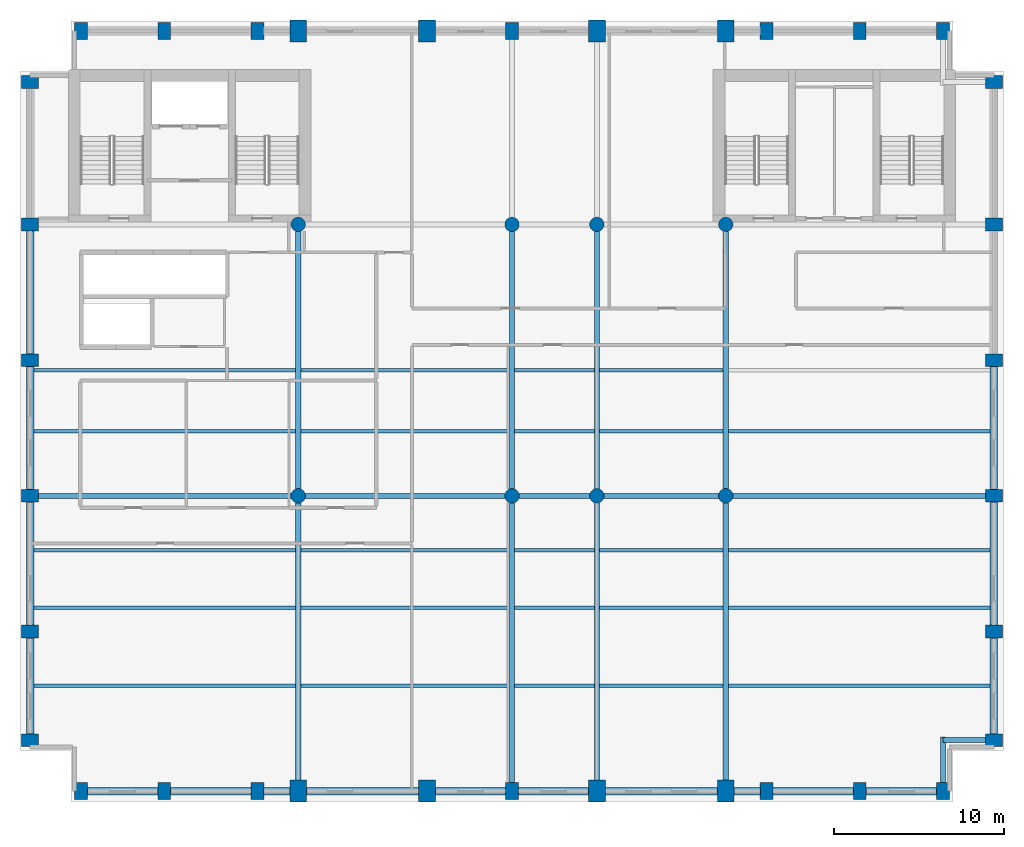
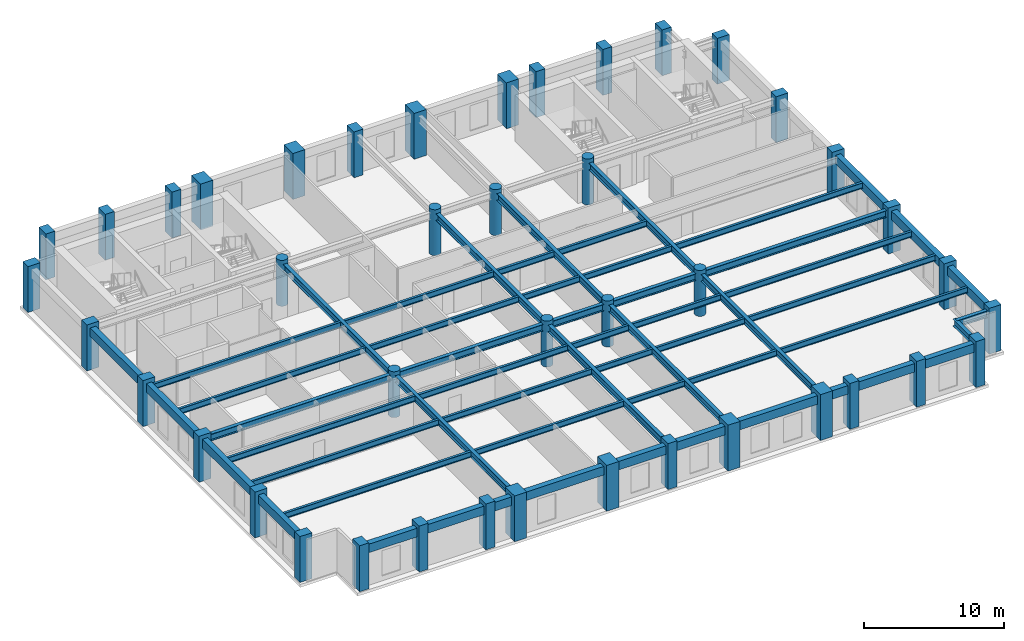
# One storey, part 1 of 8: 56 beams, 42 columns.
"""IFC4 building model written with IfcOpenShell, lengths in metres."""

from ifc_helpers import new_model, si_unit, direction, frame, origin, origin_2d, place, context, subcontext, project, spatial, rectangle, circle, i_section, extrude, material, material_profile, profile_set, type_object, element, save


model = new_model("IFC4")

# Units and contexts
model_context = context("Model", 3, precision=1e-05, world=origin(), true_north=direction((0.0, 1.0)))
body_context = subcontext(model_context, "Body", "Model", "MODEL_VIEW")
ifc_project = project(units=[si_unit("LENGTHUNIT", "METRE"), si_unit("AREAUNIT", "SQUARE_METRE"), si_unit("VOLUMEUNIT", "CUBIC_METRE"), si_unit("PLANEANGLEUNIT", "RADIAN"), si_unit("MASSUNIT", "GRAM", prefix="KILO")], contexts=[model_context])

# Site, building, storey
site_placement = place(None, origin())
site = spatial("IfcSite", under=ifc_project, at=site_placement, CompositionType="ELEMENT")
building_placement = place(site_placement, origin())
building = spatial("IfcBuilding", under=site, at=building_placement, Name="Sulina Concourse Tower", CompositionType="ELEMENT")
storey_placement = place(building_placement, frame((0.0, 0.0, 234.60009765625)))
storey = spatial("IfcBuildingStorey", under=building, at=storey_placement, Name="L57", CompositionType="ELEMENT", Elevation=234.60009765625)

# Columns
ifc_material_1 = material(Name="Precast concrete C50/60", Category="concrete")
ifc_material_profile_1 = material_profile(ifc_material_1, rectangle(XDim=0.75, YDim=1.0, at=origin_2d()), Name="PC 750x1000")
ifc_profile_set_1 = profile_set([ifc_material_profile_1], Name="Precast concrete C50/60")
column_type_1 = type_object("IfcColumnType", Name="Precast Tube Pier Zone 4 750x1000", PredefinedType="COLUMN", material=ifc_profile_set_1)
for number, where, z_axis, x_axis, name in (
    (1, (3.60009765625, 0.60009765625, 0.0), (0.0, 0.0, 1.0), (1.0, 0.0, 0.0), "L57 structural column TP-S-36"),
    (2, (3.60009765625, 45.39990234375, 0.0), (0.0, 0.0, 1.0), (1.0, 0.0, 0.0), "L57 structural column TP-N-36"),
    (3, (8.5, 0.60009765625, 0.0), (0.0, 0.0, 1.0), (1.0, 0.0, 0.0), "L57 structural column TP-S-85"),
    (4, (8.5, 45.39990234375, 0.0), (0.0, 0.0, 1.0), (1.0, 0.0, 0.0), "L57 structural column TP-N-85"),
    (5, (14.0, 0.60009765625, 0.0), (0.0, 0.0, 1.0), (1.0, 0.0, 0.0), "L57 structural column TP-S-140"),
    (6, (14.0, 45.39990234375, 0.0), (0.0, 0.0, 1.0), (1.0, 0.0, 0.0), "L57 structural column TP-N-140"),
    (7, (29.0, 0.60009765625, 0.0), (0.0, 0.0, 1.0), (1.0, 0.0, 0.0), "L57 structural column TP-S-290"),
    (8, (29.0, 45.39990234375, 0.0), (0.0, 0.0, 1.0), (1.0, 0.0, 0.0), "L57 structural column TP-N-290"),
    (9, (44.0, 0.60009765625, 0.0), (0.0, 0.0, 1.0), (1.0, 0.0, 0.0), "L57 structural column TP-S-440"),
    (10, (44.0, 45.39990234375, 0.0), (0.0, 0.0, 1.0), (1.0, 0.0, 0.0), "L57 structural column TP-N-440"),
    (11, (49.5, 0.60009765625, 0.0), (0.0, 0.0, 1.0), (1.0, 0.0, 0.0), "L57 structural column TP-S-495"),
    (12, (49.5, 45.39990234375, 0.0), (0.0, 0.0, 1.0), (1.0, 0.0, 0.0), "L57 structural column TP-N-495"),
    (13, (54.39990234375, 0.60009765625, 0.0), (0.0, 0.0, 1.0), (1.0, 0.0, 0.0), "L57 structural column TP-S-544"),
    (14, (54.39990234375, 45.39990234375, 0.0), (0.0, 0.0, 1.0), (1.0, 0.0, 0.0), "L57 structural column TP-N-544"),
    (15, (0.60009765625, 3.60009765625, 0.0), (0.0, 0.0, 1.0), (0.0, 1.0, 0.0), "L57 structural column TP-W-36"),
    (16, (57.39990234375, 3.60009765625, 0.0), (0.0, 0.0, 1.0), (0.0, 1.0, 0.0), "L57 structural column TP-E-36"),
    (17, (0.60009765625, 10.0, 0.0), (0.0, 0.0, 1.0), (0.0, 1.0, 0.0), "L57 structural column TP-W-100"),
    (18, (57.39990234375, 10.0, 0.0), (0.0, 0.0, 1.0), (0.0, 1.0, 0.0), "L57 structural column TP-E-100"),
    (19, (0.60009765625, 18.0, 0.0), (0.0, 0.0, 1.0), (0.0, 1.0, 0.0), "L57 structural column TP-W-180"),
    (20, (57.39990234375, 18.0, 0.0), (0.0, 0.0, 1.0), (0.0, 1.0, 0.0), "L57 structural column TP-E-180"),
    (21, (0.60009765625, 26.0, 0.0), (0.0, 0.0, 1.0), (0.0, 1.0, 0.0), "L57 structural column TP-W-260"),
    (22, (57.39990234375, 26.0, 0.0), (0.0, 0.0, 1.0), (0.0, 1.0, 0.0), "L57 structural column TP-E-260"),
    (23, (0.60009765625, 34.0, 0.0), (0.0, 0.0, 1.0), (0.0, 1.0, 0.0), "L57 structural column TP-W-340"),
    (24, (57.39990234375, 34.0, 0.0), (0.0, 0.0, 1.0), (0.0, 1.0, 0.0), "L57 structural column TP-E-340"),
    (25, (0.60009765625, 42.39990234375, 0.0), (0.0, 0.0, 1.0), (0.0, 1.0, 0.0), "L57 structural column TP-W-424"),
    (26, (57.39990234375, 42.39990234375, 0.0), (0.0, 0.0, 1.0), (0.0, 1.0, 0.0), "L57 structural column TP-E-424"),
):
    element("IfcColumn", number, at=place(storey_placement, frame(where, z_axis=z_axis, x_axis=x_axis)), inside=storey, type_object=column_type_1, Name=name, PredefinedType="COLUMN", context=body_context, shape_type="SweptSolid", body=[
        extrude(rectangle(XDim=0.75, YDim=1.0, at=origin_2d()), origin(), (0.0, 0.0, 1.0), 4.0),
    ])
ifc_material_2 = material(Name="Concrete C50/60", Category="concrete")
ifc_material_profile_2 = material_profile(ifc_material_2, circle(Radius=0.425048828125, at=origin_2d()), Name="RC D850")
ifc_profile_set_2 = profile_set([ifc_material_profile_2], Name="Concrete C50/60")
column_type_2 = type_object("IfcColumnType", Name="Upper Interior Circular Column D850", PredefinedType="COLUMN", material=ifc_profile_set_2)
for number, where, z_axis, x_axis, name in (
    (27, (16.39990234375, 18.0, 0.0), (0.0, 0.0, 1.0), (1.0, 0.0, 0.0), "L57 structural column IC-M-164"),
    (28, (16.39990234375, 34.0, 0.0), (0.0, 0.0, 1.0), (1.0, 0.0, 0.0), "L57 structural column IC-N-164"),
    (29, (29.0, 18.0, 0.0), (0.0, 0.0, 1.0), (1.0, 0.0, 0.0), "L57 structural column IC-M-290"),
    (30, (29.0, 34.0, 0.0), (0.0, 0.0, 1.0), (1.0, 0.0, 0.0), "L57 structural column IC-N-290"),
    (31, (41.60009765625, 18.0, 0.0), (0.0, 0.0, 1.0), (1.0, 0.0, 0.0), "L57 structural column IC-M-416"),
    (32, (41.60009765625, 34.0, 0.0), (0.0, 0.0, 1.0), (1.0, 0.0, 0.0), "L57 structural column IC-N-416"),
    (33, (34.0, 18.0, 0.0), (0.0, 0.0, 1.0), (1.0, 0.0, 0.0), "L57 structural column IC-M-340"),
    (34, (34.0, 34.0, 0.0), (0.0, 0.0, 1.0), (1.0, 0.0, 0.0), "L57 structural column IC-N-340"),
):
    element("IfcColumn", number, at=place(storey_placement, frame(where, z_axis=z_axis, x_axis=x_axis)), inside=storey, type_object=column_type_2, Name=name, PredefinedType="COLUMN", context=body_context, shape_type="SweptSolid", body=[
        extrude(circle(Radius=0.425048828125, at=origin_2d()), origin(), (0.0, 0.0, 1.0), 4.0),
    ])
ifc_material_3 = material(Name="Concrete C60/75", Category="concrete")
ifc_material_profile_3 = material_profile(ifc_material_3, rectangle(XDim=1.0, YDim=1.300048828125, at=origin_2d()), Name="RC 1000x1300")
ifc_profile_set_3 = profile_set([ifc_material_profile_3], Name="Concrete C60/75")
column_type_3 = type_object("IfcColumnType", Name="Upper Portal Column 1000x1300", PredefinedType="COLUMN", material=ifc_profile_set_3)
for number, where, z_axis, x_axis, name in (
    (35, (16.39990234375, 0.60009765625, 0.0), (0.0, 0.0, 1.0), (1.0, 0.0, 0.0), "L57 structural column TP-S-164"),
    (36, (16.39990234375, 45.39990234375, 0.0), (0.0, 0.0, 1.0), (1.0, 0.0, 0.0), "L57 structural column TP-N-164"),
    (37, (24.0, 0.60009765625, 0.0), (0.0, 0.0, 1.0), (1.0, 0.0, 0.0), "L57 structural column TP-S-240"),
    (38, (24.0, 45.39990234375, 0.0), (0.0, 0.0, 1.0), (1.0, 0.0, 0.0), "L57 structural column TP-N-240"),
    (39, (34.0, 0.60009765625, 0.0), (0.0, 0.0, 1.0), (1.0, 0.0, 0.0), "L57 structural column TP-S-340"),
    (40, (34.0, 45.39990234375, 0.0), (0.0, 0.0, 1.0), (1.0, 0.0, 0.0), "L57 structural column TP-N-340"),
    (41, (41.60009765625, 0.60009765625, 0.0), (0.0, 0.0, 1.0), (1.0, 0.0, 0.0), "L57 structural column TP-S-416"),
    (42, (41.60009765625, 45.39990234375, 0.0), (0.0, 0.0, 1.0), (1.0, 0.0, 0.0), "L57 structural column TP-N-416"),
):
    element("IfcColumn", number, at=place(storey_placement, frame(where, z_axis=z_axis, x_axis=x_axis)), inside=storey, type_object=column_type_3, Name=name, PredefinedType="COLUMN", context=body_context, shape_type="SweptSolid", body=[
        extrude(rectangle(XDim=1.0, YDim=1.300048828125, at=origin_2d()), origin(), (0.0, 0.0, 1.0), 4.0),
    ])

# Beams
ifc_material_4 = material(Name="Steel S355", Category="steel")
ifc_material_profile_4 = material_profile(ifc_material_4, i_section(OverallWidth=0.199951171875, OverallDepth=0.5, WebThickness=0.01025390625, FlangeThickness=0.01611328125, at=origin_2d()), Name="IPE 500")
ifc_profile_set_4 = profile_set([ifc_material_profile_4], Name="Steel S355")
beam_type_1 = type_object("IfcBeamType", Name="Composite Floor Joist IPE500", PredefinedType="JOIST", material=ifc_profile_set_4)
beam_1_placement = place(storey_placement, frame((0.824951171875, 6.800048828125, 3.409912109375), z_axis=(1.0, 0.0, 0.0), x_axis=(0.0, 1.0, 0.0)))
element("IfcBeam", 43, at=beam_1_placement, inside=storey, type_object=beam_type_1, Name="FJ-J06-1-L57", PredefinedType="JOIST", context=body_context, shape_type="SweptSolid", body=[
    extrude(i_section(OverallWidth=0.199951171875, OverallDepth=0.5, WebThickness=0.01025390625, FlangeThickness=0.01611328125, at=origin_2d()), origin(), (0.0, 0.0, 1.0), 15.425048828125),
])
beam_2_placement = place(storey_placement, frame((16.550048828125, 6.800048828125, 3.409912109375), z_axis=(1.0, 0.0, 0.0), x_axis=(0.0, 1.0, 0.0)))
element("IfcBeam", 44, at=beam_2_placement, inside=storey, type_object=beam_type_1, Name="FJ-J06-2-L57", PredefinedType="JOIST", context=body_context, shape_type="SweptSolid", body=[
    extrude(i_section(OverallWidth=0.199951171875, OverallDepth=0.5, WebThickness=0.01025390625, FlangeThickness=0.01611328125, at=origin_2d()), origin(), (0.0, 0.0, 1.0), 12.300048828125),
])
beam_3_placement = place(storey_placement, frame((29.14990234375, 6.800048828125, 3.409912109375), z_axis=(1.0, 0.0, 0.0), x_axis=(0.0, 1.0, 0.0)))
element("IfcBeam", 45, at=beam_3_placement, inside=storey, type_object=beam_type_1, Name="FJ-J06-3-L57", PredefinedType="JOIST", context=body_context, shape_type="SweptSolid", body=[
    extrude(i_section(OverallWidth=0.199951171875, OverallDepth=0.5, WebThickness=0.01025390625, FlangeThickness=0.01611328125, at=origin_2d()), origin(), (0.0, 0.0, 1.0), 4.7001953125),
])
beam_4_placement = place(storey_placement, frame((34.14990234375, 6.800048828125, 3.409912109375), z_axis=(1.0, 0.0, 0.0), x_axis=(0.0, 1.0, 0.0)))
element("IfcBeam", 46, at=beam_4_placement, inside=storey, type_object=beam_type_1, Name="FJ-J06-4-L57", PredefinedType="JOIST", context=body_context, shape_type="SweptSolid", body=[
    extrude(i_section(OverallWidth=0.199951171875, OverallDepth=0.5, WebThickness=0.01025390625, FlangeThickness=0.01611328125, at=origin_2d()), origin(), (0.0, 0.0, 1.0), 7.300048828125),
])
for number, where, z_axis, x_axis, name in (
    (47, (41.75, 6.800048828125, 3.409912109375), (1.0, 0.0, 0.0), (0.0, 1.0, 0.0), "FJ-J06-5-L57"),
    (48, (0.824951171875, 11.39990234375, 3.409912109375), (1.0, 0.0, 0.0), (0.0, 1.0, 0.0), "FJ-J11-1-L57"),
):
    element("IfcBeam", number, at=place(storey_placement, frame(where, z_axis=z_axis, x_axis=x_axis)), inside=storey, type_object=beam_type_1, Name=name, PredefinedType="JOIST", context=body_context, shape_type="SweptSolid", body=[
        extrude(i_section(OverallWidth=0.199951171875, OverallDepth=0.5, WebThickness=0.01025390625, FlangeThickness=0.01611328125, at=origin_2d()), origin(), (0.0, 0.0, 1.0), 15.425048828125),
    ])
beam_5_placement = place(storey_placement, frame((16.550048828125, 11.39990234375, 3.409912109375), z_axis=(1.0, 0.0, 0.0), x_axis=(0.0, 1.0, 0.0)))
element("IfcBeam", 49, at=beam_5_placement, inside=storey, type_object=beam_type_1, Name="FJ-J11-2-L57", PredefinedType="JOIST", context=body_context, shape_type="SweptSolid", body=[
    extrude(i_section(OverallWidth=0.199951171875, OverallDepth=0.5, WebThickness=0.01025390625, FlangeThickness=0.01611328125, at=origin_2d()), origin(), (0.0, 0.0, 1.0), 12.300048828125),
])
beam_6_placement = place(storey_placement, frame((29.14990234375, 11.39990234375, 3.409912109375), z_axis=(1.0, 0.0, 0.0), x_axis=(0.0, 1.0, 0.0)))
element("IfcBeam", 50, at=beam_6_placement, inside=storey, type_object=beam_type_1, Name="FJ-J11-3-L57", PredefinedType="JOIST", context=body_context, shape_type="SweptSolid", body=[
    extrude(i_section(OverallWidth=0.199951171875, OverallDepth=0.5, WebThickness=0.01025390625, FlangeThickness=0.01611328125, at=origin_2d()), origin(), (0.0, 0.0, 1.0), 4.7001953125),
])
beam_7_placement = place(storey_placement, frame((34.14990234375, 11.39990234375, 3.409912109375), z_axis=(1.0, 0.0, 0.0), x_axis=(0.0, 1.0, 0.0)))
element("IfcBeam", 51, at=beam_7_placement, inside=storey, type_object=beam_type_1, Name="FJ-J11-4-L57", PredefinedType="JOIST", context=body_context, shape_type="SweptSolid", body=[
    extrude(i_section(OverallWidth=0.199951171875, OverallDepth=0.5, WebThickness=0.01025390625, FlangeThickness=0.01611328125, at=origin_2d()), origin(), (0.0, 0.0, 1.0), 7.300048828125),
])
for number, where, z_axis, x_axis, name in (
    (52, (41.75, 11.39990234375, 3.409912109375), (1.0, 0.0, 0.0), (0.0, 1.0, 0.0), "FJ-J11-5-L57"),
    (53, (0.824951171875, 14.800048828125, 3.409912109375), (1.0, 0.0, 0.0), (0.0, 1.0, 0.0), "FJ-J15-1-L57"),
):
    element("IfcBeam", number, at=place(storey_placement, frame(where, z_axis=z_axis, x_axis=x_axis)), inside=storey, type_object=beam_type_1, Name=name, PredefinedType="JOIST", context=body_context, shape_type="SweptSolid", body=[
        extrude(i_section(OverallWidth=0.199951171875, OverallDepth=0.5, WebThickness=0.01025390625, FlangeThickness=0.01611328125, at=origin_2d()), origin(), (0.0, 0.0, 1.0), 15.425048828125),
    ])
beam_8_placement = place(storey_placement, frame((16.550048828125, 14.800048828125, 3.409912109375), z_axis=(1.0, 0.0, 0.0), x_axis=(0.0, 1.0, 0.0)))
element("IfcBeam", 54, at=beam_8_placement, inside=storey, type_object=beam_type_1, Name="FJ-J15-2-L57", PredefinedType="JOIST", context=body_context, shape_type="SweptSolid", body=[
    extrude(i_section(OverallWidth=0.199951171875, OverallDepth=0.5, WebThickness=0.01025390625, FlangeThickness=0.01611328125, at=origin_2d()), origin(), (0.0, 0.0, 1.0), 12.300048828125),
])
beam_9_placement = place(storey_placement, frame((29.14990234375, 14.800048828125, 3.409912109375), z_axis=(1.0, 0.0, 0.0), x_axis=(0.0, 1.0, 0.0)))
element("IfcBeam", 55, at=beam_9_placement, inside=storey, type_object=beam_type_1, Name="FJ-J15-3-L57", PredefinedType="JOIST", context=body_context, shape_type="SweptSolid", body=[
    extrude(i_section(OverallWidth=0.199951171875, OverallDepth=0.5, WebThickness=0.01025390625, FlangeThickness=0.01611328125, at=origin_2d()), origin(), (0.0, 0.0, 1.0), 4.7001953125),
])
beam_10_placement = place(storey_placement, frame((34.14990234375, 14.800048828125, 3.409912109375), z_axis=(1.0, 0.0, 0.0), x_axis=(0.0, 1.0, 0.0)))
element("IfcBeam", 56, at=beam_10_placement, inside=storey, type_object=beam_type_1, Name="FJ-J15-4-L57", PredefinedType="JOIST", context=body_context, shape_type="SweptSolid", body=[
    extrude(i_section(OverallWidth=0.199951171875, OverallDepth=0.5, WebThickness=0.01025390625, FlangeThickness=0.01611328125, at=origin_2d()), origin(), (0.0, 0.0, 1.0), 7.300048828125),
])
for number, where, z_axis, x_axis, name in (
    (57, (41.75, 14.800048828125, 3.409912109375), (1.0, 0.0, 0.0), (0.0, 1.0, 0.0), "FJ-J15-5-L57"),
    (58, (0.824951171875, 21.800048828125, 3.409912109375), (1.0, 0.0, 0.0), (0.0, 1.0, 0.0), "FJ-J22-1-L57"),
):
    element("IfcBeam", number, at=place(storey_placement, frame(where, z_axis=z_axis, x_axis=x_axis)), inside=storey, type_object=beam_type_1, Name=name, PredefinedType="JOIST", context=body_context, shape_type="SweptSolid", body=[
        extrude(i_section(OverallWidth=0.199951171875, OverallDepth=0.5, WebThickness=0.01025390625, FlangeThickness=0.01611328125, at=origin_2d()), origin(), (0.0, 0.0, 1.0), 15.425048828125),
    ])
beam_11_placement = place(storey_placement, frame((16.550048828125, 21.800048828125, 3.409912109375), z_axis=(1.0, 0.0, 0.0), x_axis=(0.0, 1.0, 0.0)))
element("IfcBeam", 59, at=beam_11_placement, inside=storey, type_object=beam_type_1, Name="FJ-J22-2-L57", PredefinedType="JOIST", context=body_context, shape_type="SweptSolid", body=[
    extrude(i_section(OverallWidth=0.199951171875, OverallDepth=0.5, WebThickness=0.01025390625, FlangeThickness=0.01611328125, at=origin_2d()), origin(), (0.0, 0.0, 1.0), 12.300048828125),
])
beam_12_placement = place(storey_placement, frame((29.14990234375, 21.800048828125, 3.409912109375), z_axis=(1.0, 0.0, 0.0), x_axis=(0.0, 1.0, 0.0)))
element("IfcBeam", 60, at=beam_12_placement, inside=storey, type_object=beam_type_1, Name="FJ-J22-3-L57", PredefinedType="JOIST", context=body_context, shape_type="SweptSolid", body=[
    extrude(i_section(OverallWidth=0.199951171875, OverallDepth=0.5, WebThickness=0.01025390625, FlangeThickness=0.01611328125, at=origin_2d()), origin(), (0.0, 0.0, 1.0), 4.7001953125),
])
beam_13_placement = place(storey_placement, frame((34.14990234375, 21.800048828125, 3.409912109375), z_axis=(1.0, 0.0, 0.0), x_axis=(0.0, 1.0, 0.0)))
element("IfcBeam", 61, at=beam_13_placement, inside=storey, type_object=beam_type_1, Name="FJ-J22-4-L57", PredefinedType="JOIST", context=body_context, shape_type="SweptSolid", body=[
    extrude(i_section(OverallWidth=0.199951171875, OverallDepth=0.5, WebThickness=0.01025390625, FlangeThickness=0.01611328125, at=origin_2d()), origin(), (0.0, 0.0, 1.0), 7.300048828125),
])
for number, where, z_axis, x_axis, name in (
    (62, (41.75, 21.800048828125, 3.409912109375), (1.0, 0.0, 0.0), (0.0, 1.0, 0.0), "FJ-J22-5-L57"),
    (63, (0.824951171875, 25.39990234375, 3.409912109375), (1.0, 0.0, 0.0), (0.0, 1.0, 0.0), "FJ-J25-1-L57"),
):
    element("IfcBeam", number, at=place(storey_placement, frame(where, z_axis=z_axis, x_axis=x_axis)), inside=storey, type_object=beam_type_1, Name=name, PredefinedType="JOIST", context=body_context, shape_type="SweptSolid", body=[
        extrude(i_section(OverallWidth=0.199951171875, OverallDepth=0.5, WebThickness=0.01025390625, FlangeThickness=0.01611328125, at=origin_2d()), origin(), (0.0, 0.0, 1.0), 15.425048828125),
    ])
beam_14_placement = place(storey_placement, frame((16.550048828125, 25.39990234375, 3.409912109375), z_axis=(1.0, 0.0, 0.0), x_axis=(0.0, 1.0, 0.0)))
element("IfcBeam", 64, at=beam_14_placement, inside=storey, type_object=beam_type_1, Name="FJ-J25-2-L57", PredefinedType="JOIST", context=body_context, shape_type="SweptSolid", body=[
    extrude(i_section(OverallWidth=0.199951171875, OverallDepth=0.5, WebThickness=0.01025390625, FlangeThickness=0.01611328125, at=origin_2d()), origin(), (0.0, 0.0, 1.0), 12.300048828125),
])
beam_15_placement = place(storey_placement, frame((29.14990234375, 25.39990234375, 3.409912109375), z_axis=(1.0, 0.0, 0.0), x_axis=(0.0, 1.0, 0.0)))
element("IfcBeam", 65, at=beam_15_placement, inside=storey, type_object=beam_type_1, Name="FJ-J25-3-L57", PredefinedType="JOIST", context=body_context, shape_type="SweptSolid", body=[
    extrude(i_section(OverallWidth=0.199951171875, OverallDepth=0.5, WebThickness=0.01025390625, FlangeThickness=0.01611328125, at=origin_2d()), origin(), (0.0, 0.0, 1.0), 4.7001953125),
])
beam_16_placement = place(storey_placement, frame((34.14990234375, 25.39990234375, 3.409912109375), z_axis=(1.0, 0.0, 0.0), x_axis=(0.0, 1.0, 0.0)))
element("IfcBeam", 66, at=beam_16_placement, inside=storey, type_object=beam_type_1, Name="FJ-J25-4-L57", PredefinedType="JOIST", context=body_context, shape_type="SweptSolid", body=[
    extrude(i_section(OverallWidth=0.199951171875, OverallDepth=0.5, WebThickness=0.01025390625, FlangeThickness=0.01611328125, at=origin_2d()), origin(), (0.0, 0.0, 1.0), 7.300048828125),
])
ifc_material_5 = material(Name="Steel S355", Category="steel")
ifc_material_profile_5 = material_profile(ifc_material_5, i_section(OverallWidth=0.300048828125, OverallDepth=0.60009765625, WebThickness=0.015380859375, FlangeThickness=0.030029296875, at=origin_2d()), Name="HE 600 B")
ifc_profile_set_5 = profile_set([ifc_material_profile_5], Name="Steel S355")
beam_type_2 = type_object("IfcBeamType", Name="Floor Primary Girder Zone 3 HE600B", PredefinedType="BEAM", material=ifc_profile_set_5)
beam_17_placement = place(storey_placement, frame((54.39990234375, 3.60009765625, 3.35986328125), z_axis=(1.0, 0.0, 0.0), x_axis=(0.0, 1.0, 0.0)))
element("IfcBeam", 67, at=beam_17_placement, inside=storey, type_object=beam_type_2, Name="TIE-SE-L57", PredefinedType="BEAM", context=body_context, shape_type="SweptSolid", body=[
    extrude(i_section(OverallWidth=0.300048828125, OverallDepth=0.60009765625, WebThickness=0.015380859375, FlangeThickness=0.030029296875, at=origin_2d()), origin(), (0.0, 0.0, 1.0), 2.64501953125),
])
beam_18_placement = place(storey_placement, frame((54.39990234375, 0.955078125, 3.35986328125), z_axis=(0.0, 1.0, 0.0), x_axis=(-1.0, 0.0, 0.0)))
element("IfcBeam", 68, at=beam_18_placement, inside=storey, type_object=beam_type_2, Name="TIE-SES-L57", PredefinedType="BEAM", context=body_context, shape_type="SweptSolid", body=[
    extrude(i_section(OverallWidth=0.300048828125, OverallDepth=0.60009765625, WebThickness=0.015380859375, FlangeThickness=0.030029296875, at=origin_2d()), origin(), (0.0, 0.0, 1.0), 2.844970703125),
])
beam_19_placement = place(storey_placement, frame((0.955078125, 18.0, 3.35986328125), z_axis=(1.0, 0.0, 0.0), x_axis=(0.0, 1.0, 0.0)))
element("IfcBeam", 69, at=beam_19_placement, inside=storey, type_object=beam_type_2, Name="FG-EW1-L57", PredefinedType="BEAM", context=body_context, shape_type="SweptSolid", body=[
    extrude(i_section(OverallWidth=0.300048828125, OverallDepth=0.60009765625, WebThickness=0.015380859375, FlangeThickness=0.030029296875, at=origin_2d()), origin(), (0.0, 0.0, 1.0), 15.0400390625),
])
beam_20_placement = place(storey_placement, frame((16.804931640625, 18.0, 3.35986328125), z_axis=(1.0, 0.0, 0.0), x_axis=(0.0, 1.0, 0.0)))
element("IfcBeam", 70, at=beam_20_placement, inside=storey, type_object=beam_type_2, Name="FG-EW2-L57", PredefinedType="BEAM", context=body_context, shape_type="SweptSolid", body=[
    extrude(i_section(OverallWidth=0.300048828125, OverallDepth=0.60009765625, WebThickness=0.015380859375, FlangeThickness=0.030029296875, at=origin_2d()), origin(), (0.0, 0.0, 1.0), 11.7900390625),
])
beam_21_placement = place(storey_placement, frame((29.405029296875, 18.0, 3.35986328125), z_axis=(1.0, 0.0, 0.0), x_axis=(0.0, 1.0, 0.0)))
element("IfcBeam", 71, at=beam_21_placement, inside=storey, type_object=beam_type_2, Name="FG-EW3-L57", PredefinedType="BEAM", context=body_context, shape_type="SweptSolid", body=[
    extrude(i_section(OverallWidth=0.300048828125, OverallDepth=0.60009765625, WebThickness=0.015380859375, FlangeThickness=0.030029296875, at=origin_2d()), origin(), (0.0, 0.0, 1.0), 4.18994140625),
])
beam_22_placement = place(storey_placement, frame((34.405029296875, 18.0, 3.35986328125), z_axis=(1.0, 0.0, 0.0), x_axis=(0.0, 1.0, 0.0)))
element("IfcBeam", 72, at=beam_22_placement, inside=storey, type_object=beam_type_2, Name="FG-EW4-L57", PredefinedType="BEAM", context=body_context, shape_type="SweptSolid", body=[
    extrude(i_section(OverallWidth=0.300048828125, OverallDepth=0.60009765625, WebThickness=0.015380859375, FlangeThickness=0.030029296875, at=origin_2d()), origin(), (0.0, 0.0, 1.0), 6.7900390625),
])
beam_23_placement = place(storey_placement, frame((42.0048828125, 18.0, 3.35986328125), z_axis=(1.0, 0.0, 0.0), x_axis=(0.0, 1.0, 0.0)))
element("IfcBeam", 73, at=beam_23_placement, inside=storey, type_object=beam_type_2, Name="FG-EW5-L57", PredefinedType="BEAM", context=body_context, shape_type="SweptSolid", body=[
    extrude(i_section(OverallWidth=0.300048828125, OverallDepth=0.60009765625, WebThickness=0.015380859375, FlangeThickness=0.030029296875, at=origin_2d()), origin(), (0.0, 0.0, 1.0), 15.0400390625),
])
beam_24_placement = place(storey_placement, frame((16.39990234375, 1.080078125, 3.35986328125), z_axis=(0.0, 1.0, 0.0), x_axis=(-1.0, 0.0, 0.0)))
element("IfcBeam", 74, at=beam_24_placement, inside=storey, type_object=beam_type_2, Name="FG-NSA-16-L57", PredefinedType="BEAM", context=body_context, shape_type="SweptSolid", body=[
    extrude(i_section(OverallWidth=0.300048828125, OverallDepth=0.60009765625, WebThickness=0.015380859375, FlangeThickness=0.030029296875, at=origin_2d()), origin(), (0.0, 0.0, 1.0), 16.514892578125),
])
beam_25_placement = place(storey_placement, frame((16.39990234375, 18.405029296875, 3.35986328125), z_axis=(0.0, 1.0, 0.0), x_axis=(-1.0, 0.0, 0.0)))
element("IfcBeam", 75, at=beam_25_placement, inside=storey, type_object=beam_type_2, Name="FG-NSB-16-L57", PredefinedType="BEAM", context=body_context, shape_type="SweptSolid", body=[
    extrude(i_section(OverallWidth=0.300048828125, OverallDepth=0.60009765625, WebThickness=0.015380859375, FlangeThickness=0.030029296875, at=origin_2d()), origin(), (0.0, 0.0, 1.0), 15.18994140625),
])
beam_26_placement = place(storey_placement, frame((29.0, 0.955078125, 3.35986328125), z_axis=(0.0, 1.0, 0.0), x_axis=(-1.0, 0.0, 0.0)))
element("IfcBeam", 76, at=beam_26_placement, inside=storey, type_object=beam_type_2, Name="FG-NSA-29-L57", PredefinedType="BEAM", context=body_context, shape_type="SweptSolid", body=[
    extrude(i_section(OverallWidth=0.300048828125, OverallDepth=0.60009765625, WebThickness=0.015380859375, FlangeThickness=0.030029296875, at=origin_2d()), origin(), (0.0, 0.0, 1.0), 16.639892578125),
])
beam_27_placement = place(storey_placement, frame((29.0, 18.405029296875, 3.35986328125), z_axis=(0.0, 1.0, 0.0), x_axis=(-1.0, 0.0, 0.0)))
element("IfcBeam", 77, at=beam_27_placement, inside=storey, type_object=beam_type_2, Name="FG-NSB-29-L57", PredefinedType="BEAM", context=body_context, shape_type="SweptSolid", body=[
    extrude(i_section(OverallWidth=0.300048828125, OverallDepth=0.60009765625, WebThickness=0.015380859375, FlangeThickness=0.030029296875, at=origin_2d()), origin(), (0.0, 0.0, 1.0), 15.18994140625),
])
beam_28_placement = place(storey_placement, frame((34.0, 1.080078125, 3.35986328125), z_axis=(0.0, 1.0, 0.0), x_axis=(-1.0, 0.0, 0.0)))
element("IfcBeam", 78, at=beam_28_placement, inside=storey, type_object=beam_type_2, Name="FG-NSA-34-L57", PredefinedType="BEAM", context=body_context, shape_type="SweptSolid", body=[
    extrude(i_section(OverallWidth=0.300048828125, OverallDepth=0.60009765625, WebThickness=0.015380859375, FlangeThickness=0.030029296875, at=origin_2d()), origin(), (0.0, 0.0, 1.0), 16.514892578125),
])
beam_29_placement = place(storey_placement, frame((34.0, 18.405029296875, 3.35986328125), z_axis=(0.0, 1.0, 0.0), x_axis=(-1.0, 0.0, 0.0)))
element("IfcBeam", 79, at=beam_29_placement, inside=storey, type_object=beam_type_2, Name="FG-NSB-34-L57", PredefinedType="BEAM", context=body_context, shape_type="SweptSolid", body=[
    extrude(i_section(OverallWidth=0.300048828125, OverallDepth=0.60009765625, WebThickness=0.015380859375, FlangeThickness=0.030029296875, at=origin_2d()), origin(), (0.0, 0.0, 1.0), 15.18994140625),
])
beam_30_placement = place(storey_placement, frame((41.60009765625, 1.080078125, 3.35986328125), z_axis=(0.0, 1.0, 0.0), x_axis=(-1.0, 0.0, 0.0)))
element("IfcBeam", 80, at=beam_30_placement, inside=storey, type_object=beam_type_2, Name="FG-NSA-41-L57", PredefinedType="BEAM", context=body_context, shape_type="SweptSolid", body=[
    extrude(i_section(OverallWidth=0.300048828125, OverallDepth=0.60009765625, WebThickness=0.015380859375, FlangeThickness=0.030029296875, at=origin_2d()), origin(), (0.0, 0.0, 1.0), 16.514892578125),
])
beam_31_placement = place(storey_placement, frame((41.60009765625, 18.405029296875, 3.35986328125), z_axis=(0.0, 1.0, 0.0), x_axis=(-1.0, 0.0, 0.0)))
element("IfcBeam", 81, at=beam_31_placement, inside=storey, type_object=beam_type_2, Name="FG-NSB-41-L57", PredefinedType="BEAM", context=body_context, shape_type="SweptSolid", body=[
    extrude(i_section(OverallWidth=0.300048828125, OverallDepth=0.60009765625, WebThickness=0.015380859375, FlangeThickness=0.030029296875, at=origin_2d()), origin(), (0.0, 0.0, 1.0), 15.18994140625),
])
ifc_material_6 = material(Name="Precast concrete C50/60", Category="concrete")
ifc_material_profile_6 = material_profile(ifc_material_6, rectangle(XDim=0.449951171875, YDim=0.75, at=origin_2d()), Name="RC 450x750")
ifc_profile_set_6 = profile_set([ifc_material_profile_6], Name="Precast concrete C50/60")
beam_type_3 = type_object("IfcBeamType", Name="Upper Precast Spandrel Edge Beam 450x750", PredefinedType="BEAM", material=ifc_profile_set_6)
beam_32_placement = place(storey_placement, frame((3.955078125, 0.60009765625, 3.284912109375), z_axis=(1.0, 0.0, 0.0), x_axis=(0.0, 1.0, 0.0)))
element("IfcBeam", 82, at=beam_32_placement, inside=storey, type_object=beam_type_3, Name="SP-S1-L57", PredefinedType="BEAM", context=body_context, shape_type="SweptSolid", body=[
    extrude(rectangle(XDim=0.449951171875, YDim=0.75, at=origin_2d()), origin(), (0.0, 0.0, 1.0), 4.18994140625),
])
beam_33_placement = place(storey_placement, frame((8.85498046875, 0.60009765625, 3.284912109375), z_axis=(1.0, 0.0, 0.0), x_axis=(0.0, 1.0, 0.0)))
element("IfcBeam", 83, at=beam_33_placement, inside=storey, type_object=beam_type_3, Name="SP-S2-L57", PredefinedType="BEAM", context=body_context, shape_type="SweptSolid", body=[
    extrude(rectangle(XDim=0.449951171875, YDim=0.75, at=origin_2d()), origin(), (0.0, 0.0, 1.0), 4.7900390625),
])
beam_34_placement = place(storey_placement, frame((14.35498046875, 0.60009765625, 3.284912109375), z_axis=(1.0, 0.0, 0.0), x_axis=(0.0, 1.0, 0.0)))
element("IfcBeam", 84, at=beam_34_placement, inside=storey, type_object=beam_type_3, Name="SP-S3-L57", PredefinedType="BEAM", context=body_context, shape_type="SweptSolid", body=[
    extrude(rectangle(XDim=0.449951171875, YDim=0.75, at=origin_2d()), origin(), (0.0, 0.0, 1.0), 1.56494140625),
])
beam_35_placement = place(storey_placement, frame((16.8798828125, 0.60009765625, 3.284912109375), z_axis=(1.0, 0.0, 0.0), x_axis=(0.0, 1.0, 0.0)))
element("IfcBeam", 85, at=beam_35_placement, inside=storey, type_object=beam_type_3, Name="SP-S4-L57", PredefinedType="BEAM", context=body_context, shape_type="SweptSolid", body=[
    extrude(rectangle(XDim=0.449951171875, YDim=0.75, at=origin_2d()), origin(), (0.0, 0.0, 1.0), 6.64013671875),
])
for number, where, z_axis, x_axis, name in (
    (86, (24.47998046875, 0.60009765625, 3.284912109375), (1.0, 0.0, 0.0), (0.0, 1.0, 0.0), "SP-S5-L57"),
    (87, (29.35498046875, 0.60009765625, 3.284912109375), (1.0, 0.0, 0.0), (0.0, 1.0, 0.0), "SP-S6-L57"),
):
    element("IfcBeam", number, at=place(storey_placement, frame(where, z_axis=z_axis, x_axis=x_axis)), inside=storey, type_object=beam_type_3, Name=name, PredefinedType="BEAM", context=body_context, shape_type="SweptSolid", body=[
        extrude(rectangle(XDim=0.449951171875, YDim=0.75, at=origin_2d()), origin(), (0.0, 0.0, 1.0), 4.1650390625),
    ])
beam_36_placement = place(storey_placement, frame((34.47998046875, 0.60009765625, 3.284912109375), z_axis=(1.0, 0.0, 0.0), x_axis=(0.0, 1.0, 0.0)))
element("IfcBeam", 88, at=beam_36_placement, inside=storey, type_object=beam_type_3, Name="SP-S7-L57", PredefinedType="BEAM", context=body_context, shape_type="SweptSolid", body=[
    extrude(rectangle(XDim=0.449951171875, YDim=0.75, at=origin_2d()), origin(), (0.0, 0.0, 1.0), 6.64013671875),
])
beam_37_placement = place(storey_placement, frame((42.080078125, 0.60009765625, 3.284912109375), z_axis=(1.0, 0.0, 0.0), x_axis=(0.0, 1.0, 0.0)))
element("IfcBeam", 89, at=beam_37_placement, inside=storey, type_object=beam_type_3, Name="SP-S8-L57", PredefinedType="BEAM", context=body_context, shape_type="SweptSolid", body=[
    extrude(rectangle(XDim=0.449951171875, YDim=0.75, at=origin_2d()), origin(), (0.0, 0.0, 1.0), 1.56494140625),
])
beam_38_placement = place(storey_placement, frame((44.35498046875, 0.60009765625, 3.284912109375), z_axis=(1.0, 0.0, 0.0), x_axis=(0.0, 1.0, 0.0)))
element("IfcBeam", 90, at=beam_38_placement, inside=storey, type_object=beam_type_3, Name="SP-S9-L57", PredefinedType="BEAM", context=body_context, shape_type="SweptSolid", body=[
    extrude(rectangle(XDim=0.449951171875, YDim=0.75, at=origin_2d()), origin(), (0.0, 0.0, 1.0), 4.7900390625),
])
beam_39_placement = place(storey_placement, frame((49.85498046875, 0.60009765625, 3.284912109375), z_axis=(1.0, 0.0, 0.0), x_axis=(0.0, 1.0, 0.0)))
element("IfcBeam", 91, at=beam_39_placement, inside=storey, type_object=beam_type_3, Name="SP-S10-L57", PredefinedType="BEAM", context=body_context, shape_type="SweptSolid", body=[
    extrude(rectangle(XDim=0.449951171875, YDim=0.75, at=origin_2d()), origin(), (0.0, 0.0, 1.0), 4.18994140625),
])
beam_40_placement = place(storey_placement, frame((0.60009765625, 3.955078125, 3.284912109375), z_axis=(0.0, 1.0, 0.0), x_axis=(-1.0, 0.0, 0.0)))
element("IfcBeam", 92, at=beam_40_placement, inside=storey, type_object=beam_type_3, Name="SP-W1-L57", PredefinedType="BEAM", context=body_context, shape_type="SweptSolid", body=[
    extrude(rectangle(XDim=0.449951171875, YDim=0.75, at=origin_2d()), origin(), (0.0, 0.0, 1.0), 5.68994140625),
])
for number, where, z_axis, x_axis, name in (
    (93, (0.60009765625, 10.35498046875, 3.284912109375), (0.0, 1.0, 0.0), (-1.0, 0.0, 0.0), "SP-W2-L57"),
    (94, (0.60009765625, 18.35498046875, 3.284912109375), (0.0, 1.0, 0.0), (-1.0, 0.0, 0.0), "SP-W3-L57"),
    (95, (0.60009765625, 26.35498046875, 3.284912109375), (0.0, 1.0, 0.0), (-1.0, 0.0, 0.0), "SP-W4-L57"),
):
    element("IfcBeam", number, at=place(storey_placement, frame(where, z_axis=z_axis, x_axis=x_axis)), inside=storey, type_object=beam_type_3, Name=name, PredefinedType="BEAM", context=body_context, shape_type="SweptSolid", body=[
        extrude(rectangle(XDim=0.449951171875, YDim=0.75, at=origin_2d()), origin(), (0.0, 0.0, 1.0), 7.2900390625),
    ])
beam_41_placement = place(storey_placement, frame((57.39990234375, 3.955078125, 3.284912109375), z_axis=(0.0, 1.0, 0.0), x_axis=(-1.0, 0.0, 0.0)))
element("IfcBeam", 96, at=beam_41_placement, inside=storey, type_object=beam_type_3, Name="SP-E1-L57", PredefinedType="BEAM", context=body_context, shape_type="SweptSolid", body=[
    extrude(rectangle(XDim=0.449951171875, YDim=0.75, at=origin_2d()), origin(), (0.0, 0.0, 1.0), 5.68994140625),
])
for number, where, z_axis, x_axis, name in (
    (97, (57.39990234375, 10.35498046875, 3.284912109375), (0.0, 1.0, 0.0), (-1.0, 0.0, 0.0), "SP-E2-L57"),
    (98, (57.39990234375, 18.35498046875, 3.284912109375), (0.0, 1.0, 0.0), (-1.0, 0.0, 0.0), "SP-E3-L57"),
):
    element("IfcBeam", number, at=place(storey_placement, frame(where, z_axis=z_axis, x_axis=x_axis)), inside=storey, type_object=beam_type_3, Name=name, PredefinedType="BEAM", context=body_context, shape_type="SweptSolid", body=[
        extrude(rectangle(XDim=0.449951171875, YDim=0.75, at=origin_2d()), origin(), (0.0, 0.0, 1.0), 7.2900390625),
    ])

save(model, "model.ifc")
